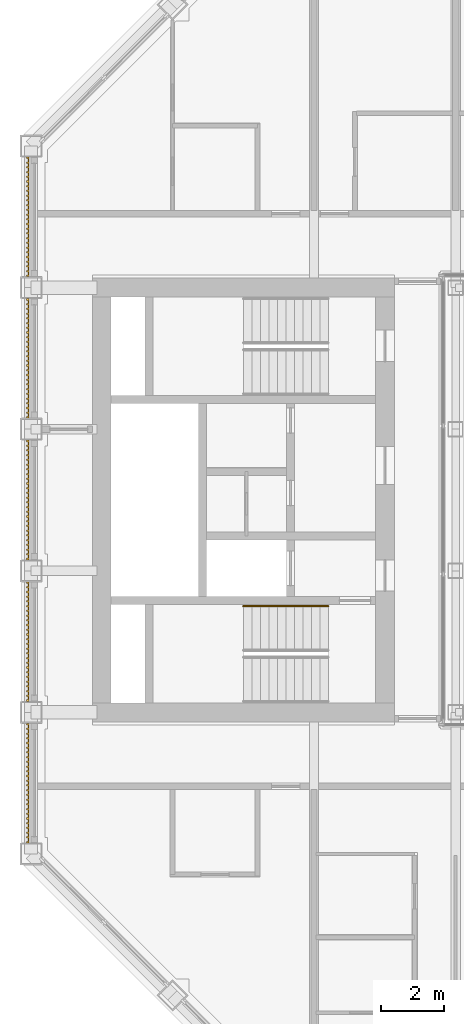
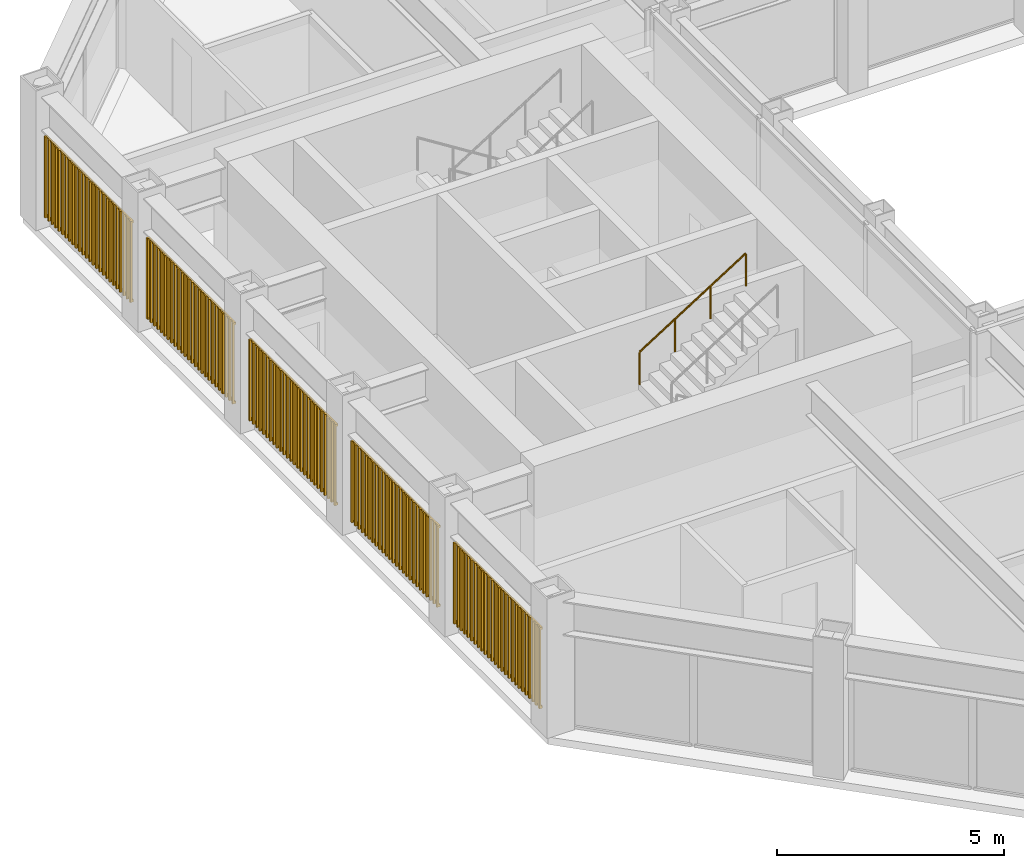
# One storey, part 15 of 18: 1 railing, 1 shading device.
"""IFC4 building model written with IfcOpenShell, lengths in metres."""

from ifc_helpers import new_model, si_unit, direction, frame, origin, origin_2d, place, context, subcontext, project, spatial, rectangle, circle, extrude, material, type_object, element, save


model = new_model("IFC4")

# Units and contexts
model_context = context("Model", 3, precision=1e-05, world=origin(), true_north=direction((0.0, 1.0)))
body_context = subcontext(model_context, "Body", "Model", "MODEL_VIEW")
ifc_project = project(units=[si_unit("LENGTHUNIT", "METRE"), si_unit("AREAUNIT", "SQUARE_METRE"), si_unit("VOLUMEUNIT", "CUBIC_METRE"), si_unit("PLANEANGLEUNIT", "RADIAN"), si_unit("MASSUNIT", "GRAM", prefix="KILO")], contexts=[model_context])

# Site, building, storey
site_placement = place(None, origin())
site = spatial("IfcSite", under=ifc_project, at=site_placement, CompositionType="ELEMENT")
building_placement = place(site_placement, origin())
building = spatial("IfcBuilding", under=site, at=building_placement, Name="Msasa Ring Tower", CompositionType="ELEMENT")
storey_placement = place(building_placement, frame((0.0, 0.0, 223.300048828125)))
storey = spatial("IfcBuildingStorey", under=building, at=storey_placement, Name="L58", CompositionType="ELEMENT", Elevation=223.300048828125)

# Shading device
ifc_material_1 = material(Name="Extruded terracotta on aluminium carriers", Category="masonry")
shading_device_type = type_object("IfcShadingDeviceType", Name="BS1 TERRACOTTA BAGUETTE SCREEN 50x50 AT 150", PredefinedType="USERDEFINED", material=ifc_material_1)
shading_device_placement = place(storey_placement, origin())
element("IfcShadingDevice", 1, at=shading_device_placement, inside=storey, type_object=shading_device_type, Name="Terracotta baguette screen W L58", ObjectType="BAGUETTE", PredefinedType="USERDEFINED", context=body_context, shape_type="SweptSolid", body=[
    extrude(rectangle(XDim=0.06005859375, YDim=0.0400390625, at=origin_2d()), frame((-20.330078125, -10.89990234375, 0.329833984375), z_axis=(0.0, 1.0, 0.0), x_axis=(0.0, 0.0, 1.0)), (0.0, 0.0, 1.0), 3.800048828125),
    extrude(rectangle(XDim=0.06005859375, YDim=0.0400390625, at=origin_2d()), frame((-20.330078125, -10.89990234375, 2.448974609375), z_axis=(0.0, 1.0, 0.0), x_axis=(0.0, 0.0, 1.0)), (0.0, 0.0, 1.0), 3.800048828125),
    extrude(rectangle(XDim=0.050048828125, YDim=0.050048828125, at=origin_2d()), frame((-20.3701171875, -10.875, 0.300048828125), z_axis=(0.0, 0.0, 1.0), x_axis=(0.0, 1.0, 0.0)), (0.0, 0.0, 1.0), 2.178955078125),
    extrude(rectangle(XDim=0.050048828125, YDim=0.050048828125, at=origin_2d()), frame((-20.3701171875, -10.72509765625, 0.300048828125), z_axis=(0.0, 0.0, 1.0), x_axis=(0.0, 1.0, 0.0)), (0.0, 0.0, 1.0), 2.178955078125),
    extrude(rectangle(XDim=0.050048828125, YDim=0.050048828125, at=origin_2d()), frame((-20.3701171875, -10.574951171875, 0.300048828125), z_axis=(0.0, 0.0, 1.0), x_axis=(0.0, 1.0, 0.0)), (0.0, 0.0, 1.0), 2.178955078125),
    extrude(rectangle(XDim=0.050048828125, YDim=0.050048828125, at=origin_2d()), frame((-20.3701171875, -10.425048828125, 0.300048828125), z_axis=(0.0, 0.0, 1.0), x_axis=(0.0, 1.0, 0.0)), (0.0, 0.0, 1.0), 2.178955078125),
    extrude(rectangle(XDim=0.050048828125, YDim=0.050048828125, at=origin_2d()), frame((-20.3701171875, -10.27490234375, 0.300048828125), z_axis=(0.0, 0.0, 1.0), x_axis=(0.0, 1.0, 0.0)), (0.0, 0.0, 1.0), 2.178955078125),
    extrude(rectangle(XDim=0.050048828125, YDim=0.050048828125, at=origin_2d()), frame((-20.3701171875, -10.125, 0.300048828125), z_axis=(0.0, 0.0, 1.0), x_axis=(0.0, 1.0, 0.0)), (0.0, 0.0, 1.0), 2.178955078125),
    extrude(rectangle(XDim=0.050048828125, YDim=0.050048828125, at=origin_2d()), frame((-20.3701171875, -9.97509765625, 0.300048828125), z_axis=(0.0, 0.0, 1.0), x_axis=(0.0, 1.0, 0.0)), (0.0, 0.0, 1.0), 2.178955078125),
    extrude(rectangle(XDim=0.050048828125, YDim=0.050048828125, at=origin_2d()), frame((-20.3701171875, -9.824951171875, 0.300048828125), z_axis=(0.0, 0.0, 1.0), x_axis=(0.0, 1.0, 0.0)), (0.0, 0.0, 1.0), 2.178955078125),
    extrude(rectangle(XDim=0.050048828125, YDim=0.050048828125, at=origin_2d()), frame((-20.3701171875, -9.675048828125, 0.300048828125), z_axis=(0.0, 0.0, 1.0), x_axis=(0.0, 1.0, 0.0)), (0.0, 0.0, 1.0), 2.178955078125),
    extrude(rectangle(XDim=0.050048828125, YDim=0.050048828125, at=origin_2d()), frame((-20.3701171875, -9.52490234375, 0.300048828125), z_axis=(0.0, 0.0, 1.0), x_axis=(0.0, 1.0, 0.0)), (0.0, 0.0, 1.0), 2.178955078125),
    extrude(rectangle(XDim=0.050048828125, YDim=0.050048828125, at=origin_2d()), frame((-20.3701171875, -9.375, 0.300048828125), z_axis=(0.0, 0.0, 1.0), x_axis=(0.0, 1.0, 0.0)), (0.0, 0.0, 1.0), 2.178955078125),
    extrude(rectangle(XDim=0.050048828125, YDim=0.050048828125, at=origin_2d()), frame((-20.3701171875, -9.22509765625, 0.300048828125), z_axis=(0.0, 0.0, 1.0), x_axis=(0.0, 1.0, 0.0)), (0.0, 0.0, 1.0), 2.178955078125),
    extrude(rectangle(XDim=0.050048828125, YDim=0.050048828125, at=origin_2d()), frame((-20.3701171875, -9.074951171875, 0.300048828125), z_axis=(0.0, 0.0, 1.0), x_axis=(0.0, 1.0, 0.0)), (0.0, 0.0, 1.0), 2.178955078125),
    extrude(rectangle(XDim=0.050048828125, YDim=0.050048828125, at=origin_2d()), frame((-20.3701171875, -8.925048828125, 0.300048828125), z_axis=(0.0, 0.0, 1.0), x_axis=(0.0, 1.0, 0.0)), (0.0, 0.0, 1.0), 2.178955078125),
    extrude(rectangle(XDim=0.050048828125, YDim=0.050048828125, at=origin_2d()), frame((-20.3701171875, -8.77490234375, 0.300048828125), z_axis=(0.0, 0.0, 1.0), x_axis=(0.0, 1.0, 0.0)), (0.0, 0.0, 1.0), 2.178955078125),
    extrude(rectangle(XDim=0.050048828125, YDim=0.050048828125, at=origin_2d()), frame((-20.3701171875, -8.625, 0.300048828125), z_axis=(0.0, 0.0, 1.0), x_axis=(0.0, 1.0, 0.0)), (0.0, 0.0, 1.0), 2.178955078125),
    extrude(rectangle(XDim=0.050048828125, YDim=0.050048828125, at=origin_2d()), frame((-20.3701171875, -8.47509765625, 0.300048828125), z_axis=(0.0, 0.0, 1.0), x_axis=(0.0, 1.0, 0.0)), (0.0, 0.0, 1.0), 2.178955078125),
    extrude(rectangle(XDim=0.050048828125, YDim=0.050048828125, at=origin_2d()), frame((-20.3701171875, -8.324951171875, 0.300048828125), z_axis=(0.0, 0.0, 1.0), x_axis=(0.0, 1.0, 0.0)), (0.0, 0.0, 1.0), 2.178955078125),
    extrude(rectangle(XDim=0.050048828125, YDim=0.050048828125, at=origin_2d()), frame((-20.3701171875, -8.175048828125, 0.300048828125), z_axis=(0.0, 0.0, 1.0), x_axis=(0.0, 1.0, 0.0)), (0.0, 0.0, 1.0), 2.178955078125),
    extrude(rectangle(XDim=0.050048828125, YDim=0.050048828125, at=origin_2d()), frame((-20.3701171875, -8.02490234375, 0.300048828125), z_axis=(0.0, 0.0, 1.0), x_axis=(0.0, 1.0, 0.0)), (0.0, 0.0, 1.0), 2.178955078125),
    extrude(rectangle(XDim=0.050048828125, YDim=0.050048828125, at=origin_2d()), frame((-20.3701171875, -7.875, 0.300048828125), z_axis=(0.0, 0.0, 1.0), x_axis=(0.0, 1.0, 0.0)), (0.0, 0.0, 1.0), 2.178955078125),
    extrude(rectangle(XDim=0.050048828125, YDim=0.050048828125, at=origin_2d()), frame((-20.3701171875, -7.72509765625, 0.300048828125), z_axis=(0.0, 0.0, 1.0), x_axis=(0.0, 1.0, 0.0)), (0.0, 0.0, 1.0), 2.178955078125),
    extrude(rectangle(XDim=0.050048828125, YDim=0.050048828125, at=origin_2d()), frame((-20.3701171875, -7.574951171875, 0.300048828125), z_axis=(0.0, 0.0, 1.0), x_axis=(0.0, 1.0, 0.0)), (0.0, 0.0, 1.0), 2.178955078125),
    extrude(rectangle(XDim=0.050048828125, YDim=0.050048828125, at=origin_2d()), frame((-20.3701171875, -7.425048828125, 0.300048828125), z_axis=(0.0, 0.0, 1.0), x_axis=(0.0, 1.0, 0.0)), (0.0, 0.0, 1.0), 2.178955078125),
    extrude(rectangle(XDim=0.050048828125, YDim=0.050048828125, at=origin_2d()), frame((-20.3701171875, -7.27490234375, 0.300048828125), z_axis=(0.0, 0.0, 1.0), x_axis=(0.0, 1.0, 0.0)), (0.0, 0.0, 1.0), 2.178955078125),
    extrude(rectangle(XDim=0.050048828125, YDim=0.050048828125, at=origin_2d()), frame((-20.3701171875, -7.125, 0.300048828125), z_axis=(0.0, 0.0, 1.0), x_axis=(0.0, 1.0, 0.0)), (0.0, 0.0, 1.0), 2.178955078125),
    extrude(rectangle(XDim=0.06005859375, YDim=0.0400390625, at=origin_2d()), frame((-20.330078125, -6.39990234375, 0.329833984375), z_axis=(0.0, 1.0, 0.0), x_axis=(0.0, 0.0, 1.0)), (0.0, 0.0, 1.0), 3.800048828125),
    extrude(rectangle(XDim=0.06005859375, YDim=0.0400390625, at=origin_2d()), frame((-20.330078125, -6.39990234375, 2.448974609375), z_axis=(0.0, 1.0, 0.0), x_axis=(0.0, 0.0, 1.0)), (0.0, 0.0, 1.0), 3.800048828125),
    extrude(rectangle(XDim=0.050048828125, YDim=0.050048828125, at=origin_2d()), frame((-20.3701171875, -6.375, 0.300048828125), z_axis=(0.0, 0.0, 1.0), x_axis=(0.0, 1.0, 0.0)), (0.0, 0.0, 1.0), 2.178955078125),
    extrude(rectangle(XDim=0.050048828125, YDim=0.050048828125, at=origin_2d()), frame((-20.3701171875, -6.22509765625, 0.300048828125), z_axis=(0.0, 0.0, 1.0), x_axis=(0.0, 1.0, 0.0)), (0.0, 0.0, 1.0), 2.178955078125),
    extrude(rectangle(XDim=0.050048828125, YDim=0.050048828125, at=origin_2d()), frame((-20.3701171875, -6.074951171875, 0.300048828125), z_axis=(0.0, 0.0, 1.0), x_axis=(0.0, 1.0, 0.0)), (0.0, 0.0, 1.0), 2.178955078125),
    extrude(rectangle(XDim=0.050048828125, YDim=0.050048828125, at=origin_2d()), frame((-20.3701171875, -5.925048828125, 0.300048828125), z_axis=(0.0, 0.0, 1.0), x_axis=(0.0, 1.0, 0.0)), (0.0, 0.0, 1.0), 2.178955078125),
    extrude(rectangle(XDim=0.050048828125, YDim=0.050048828125, at=origin_2d()), frame((-20.3701171875, -5.77490234375, 0.300048828125), z_axis=(0.0, 0.0, 1.0), x_axis=(0.0, 1.0, 0.0)), (0.0, 0.0, 1.0), 2.178955078125),
    extrude(rectangle(XDim=0.050048828125, YDim=0.050048828125, at=origin_2d()), frame((-20.3701171875, -5.625, 0.300048828125), z_axis=(0.0, 0.0, 1.0), x_axis=(0.0, 1.0, 0.0)), (0.0, 0.0, 1.0), 2.178955078125),
    extrude(rectangle(XDim=0.050048828125, YDim=0.050048828125, at=origin_2d()), frame((-20.3701171875, -5.47509765625, 0.300048828125), z_axis=(0.0, 0.0, 1.0), x_axis=(0.0, 1.0, 0.0)), (0.0, 0.0, 1.0), 2.178955078125),
    extrude(rectangle(XDim=0.050048828125, YDim=0.050048828125, at=origin_2d()), frame((-20.3701171875, -5.324951171875, 0.300048828125), z_axis=(0.0, 0.0, 1.0), x_axis=(0.0, 1.0, 0.0)), (0.0, 0.0, 1.0), 2.178955078125),
    extrude(rectangle(XDim=0.050048828125, YDim=0.050048828125, at=origin_2d()), frame((-20.3701171875, -5.175048828125, 0.300048828125), z_axis=(0.0, 0.0, 1.0), x_axis=(0.0, 1.0, 0.0)), (0.0, 0.0, 1.0), 2.178955078125),
    extrude(rectangle(XDim=0.050048828125, YDim=0.050048828125, at=origin_2d()), frame((-20.3701171875, -5.02490234375, 0.300048828125), z_axis=(0.0, 0.0, 1.0), x_axis=(0.0, 1.0, 0.0)), (0.0, 0.0, 1.0), 2.178955078125),
    extrude(rectangle(XDim=0.050048828125, YDim=0.050048828125, at=origin_2d()), frame((-20.3701171875, -4.875, 0.300048828125), z_axis=(0.0, 0.0, 1.0), x_axis=(0.0, 1.0, 0.0)), (0.0, 0.0, 1.0), 2.178955078125),
    extrude(rectangle(XDim=0.050048828125, YDim=0.050048828125, at=origin_2d()), frame((-20.3701171875, -4.72509765625, 0.300048828125), z_axis=(0.0, 0.0, 1.0), x_axis=(0.0, 1.0, 0.0)), (0.0, 0.0, 1.0), 2.178955078125),
    extrude(rectangle(XDim=0.050048828125, YDim=0.050048828125, at=origin_2d()), frame((-20.3701171875, -4.574951171875, 0.300048828125), z_axis=(0.0, 0.0, 1.0), x_axis=(0.0, 1.0, 0.0)), (0.0, 0.0, 1.0), 2.178955078125),
    extrude(rectangle(XDim=0.050048828125, YDim=0.050048828125, at=origin_2d()), frame((-20.3701171875, -4.425048828125, 0.300048828125), z_axis=(0.0, 0.0, 1.0), x_axis=(0.0, 1.0, 0.0)), (0.0, 0.0, 1.0), 2.178955078125),
    extrude(rectangle(XDim=0.050048828125, YDim=0.050048828125, at=origin_2d()), frame((-20.3701171875, -4.27490234375, 0.300048828125), z_axis=(0.0, 0.0, 1.0), x_axis=(0.0, 1.0, 0.0)), (0.0, 0.0, 1.0), 2.178955078125),
    extrude(rectangle(XDim=0.050048828125, YDim=0.050048828125, at=origin_2d()), frame((-20.3701171875, -4.125, 0.300048828125), z_axis=(0.0, 0.0, 1.0), x_axis=(0.0, 1.0, 0.0)), (0.0, 0.0, 1.0), 2.178955078125),
    extrude(rectangle(XDim=0.050048828125, YDim=0.050048828125, at=origin_2d()), frame((-20.3701171875, -3.97509765625, 0.300048828125), z_axis=(0.0, 0.0, 1.0), x_axis=(0.0, 1.0, 0.0)), (0.0, 0.0, 1.0), 2.178955078125),
    extrude(rectangle(XDim=0.050048828125, YDim=0.050048828125, at=origin_2d()), frame((-20.3701171875, -3.824951171875, 0.300048828125), z_axis=(0.0, 0.0, 1.0), x_axis=(0.0, 1.0, 0.0)), (0.0, 0.0, 1.0), 2.178955078125),
    extrude(rectangle(XDim=0.050048828125, YDim=0.050048828125, at=origin_2d()), frame((-20.3701171875, -3.675048828125, 0.300048828125), z_axis=(0.0, 0.0, 1.0), x_axis=(0.0, 1.0, 0.0)), (0.0, 0.0, 1.0), 2.178955078125),
    extrude(rectangle(XDim=0.050048828125, YDim=0.050048828125, at=origin_2d()), frame((-20.3701171875, -3.52490234375, 0.300048828125), z_axis=(0.0, 0.0, 1.0), x_axis=(0.0, 1.0, 0.0)), (0.0, 0.0, 1.0), 2.178955078125),
    extrude(rectangle(XDim=0.050048828125, YDim=0.050048828125, at=origin_2d()), frame((-20.3701171875, -3.375, 0.300048828125), z_axis=(0.0, 0.0, 1.0), x_axis=(0.0, 1.0, 0.0)), (0.0, 0.0, 1.0), 2.178955078125),
    extrude(rectangle(XDim=0.050048828125, YDim=0.050048828125, at=origin_2d()), frame((-20.3701171875, -3.22509765625, 0.300048828125), z_axis=(0.0, 0.0, 1.0), x_axis=(0.0, 1.0, 0.0)), (0.0, 0.0, 1.0), 2.178955078125),
    extrude(rectangle(XDim=0.050048828125, YDim=0.050048828125, at=origin_2d()), frame((-20.3701171875, -3.074951171875, 0.300048828125), z_axis=(0.0, 0.0, 1.0), x_axis=(0.0, 1.0, 0.0)), (0.0, 0.0, 1.0), 2.178955078125),
    extrude(rectangle(XDim=0.050048828125, YDim=0.050048828125, at=origin_2d()), frame((-20.3701171875, -2.925048828125, 0.300048828125), z_axis=(0.0, 0.0, 1.0), x_axis=(0.0, 1.0, 0.0)), (0.0, 0.0, 1.0), 2.178955078125),
    extrude(rectangle(XDim=0.050048828125, YDim=0.050048828125, at=origin_2d()), frame((-20.3701171875, -2.77490234375, 0.300048828125), z_axis=(0.0, 0.0, 1.0), x_axis=(0.0, 1.0, 0.0)), (0.0, 0.0, 1.0), 2.178955078125),
    extrude(rectangle(XDim=0.050048828125, YDim=0.050048828125, at=origin_2d()), frame((-20.3701171875, -2.625, 0.300048828125), z_axis=(0.0, 0.0, 1.0), x_axis=(0.0, 1.0, 0.0)), (0.0, 0.0, 1.0), 2.178955078125),
    extrude(rectangle(XDim=0.06005859375, YDim=0.0400390625, at=origin_2d()), frame((-20.330078125, -1.89990234375, 0.329833984375), z_axis=(0.0, 1.0, 0.0), x_axis=(0.0, 0.0, 1.0)), (0.0, 0.0, 1.0), 3.800048828125),
    extrude(rectangle(XDim=0.06005859375, YDim=0.0400390625, at=origin_2d()), frame((-20.330078125, -1.89990234375, 2.448974609375), z_axis=(0.0, 1.0, 0.0), x_axis=(0.0, 0.0, 1.0)), (0.0, 0.0, 1.0), 3.800048828125),
    extrude(rectangle(XDim=0.050048828125, YDim=0.050048828125, at=origin_2d()), frame((-20.3701171875, -1.875, 0.300048828125), z_axis=(0.0, 0.0, 1.0), x_axis=(0.0, 1.0, 0.0)), (0.0, 0.0, 1.0), 2.178955078125),
    extrude(rectangle(XDim=0.050048828125, YDim=0.050048828125, at=origin_2d()), frame((-20.3701171875, -1.72509765625, 0.300048828125), z_axis=(0.0, 0.0, 1.0), x_axis=(0.0, 1.0, 0.0)), (0.0, 0.0, 1.0), 2.178955078125),
    extrude(rectangle(XDim=0.050048828125, YDim=0.050048828125, at=origin_2d()), frame((-20.3701171875, -1.574951171875, 0.300048828125), z_axis=(0.0, 0.0, 1.0), x_axis=(0.0, 1.0, 0.0)), (0.0, 0.0, 1.0), 2.178955078125),
    extrude(rectangle(XDim=0.050048828125, YDim=0.050048828125, at=origin_2d()), frame((-20.3701171875, -1.425048828125, 0.300048828125), z_axis=(0.0, 0.0, 1.0), x_axis=(0.0, 1.0, 0.0)), (0.0, 0.0, 1.0), 2.178955078125),
    extrude(rectangle(XDim=0.050048828125, YDim=0.050048828125, at=origin_2d()), frame((-20.3701171875, -1.27490234375, 0.300048828125), z_axis=(0.0, 0.0, 1.0), x_axis=(0.0, 1.0, 0.0)), (0.0, 0.0, 1.0), 2.178955078125),
    extrude(rectangle(XDim=0.050048828125, YDim=0.050048828125, at=origin_2d()), frame((-20.3701171875, -1.125, 0.300048828125), z_axis=(0.0, 0.0, 1.0), x_axis=(0.0, 1.0, 0.0)), (0.0, 0.0, 1.0), 2.178955078125),
    extrude(rectangle(XDim=0.050048828125, YDim=0.050048828125, at=origin_2d()), frame((-20.3701171875, -0.97509765625, 0.300048828125), z_axis=(0.0, 0.0, 1.0), x_axis=(0.0, 1.0, 0.0)), (0.0, 0.0, 1.0), 2.178955078125),
    extrude(rectangle(XDim=0.050048828125, YDim=0.050048828125, at=origin_2d()), frame((-20.3701171875, -0.824951171875, 0.300048828125), z_axis=(0.0, 0.0, 1.0), x_axis=(0.0, 1.0, 0.0)), (0.0, 0.0, 1.0), 2.178955078125),
    extrude(rectangle(XDim=0.050048828125, YDim=0.050048828125, at=origin_2d()), frame((-20.3701171875, -0.675048828125, 0.300048828125), z_axis=(0.0, 0.0, 1.0), x_axis=(0.0, 1.0, 0.0)), (0.0, 0.0, 1.0), 2.178955078125),
    extrude(rectangle(XDim=0.050048828125, YDim=0.050048828125, at=origin_2d()), frame((-20.3701171875, -0.52490234375, 0.300048828125), z_axis=(0.0, 0.0, 1.0), x_axis=(0.0, 1.0, 0.0)), (0.0, 0.0, 1.0), 2.178955078125),
    extrude(rectangle(XDim=0.050048828125, YDim=0.050048828125, at=origin_2d()), frame((-20.3701171875, -0.375, 0.300048828125), z_axis=(0.0, 0.0, 1.0), x_axis=(0.0, 1.0, 0.0)), (0.0, 0.0, 1.0), 2.178955078125),
    extrude(rectangle(XDim=0.050048828125, YDim=0.050048828125, at=origin_2d()), frame((-20.3701171875, -0.22509765625, 0.300048828125), z_axis=(0.0, 0.0, 1.0), x_axis=(0.0, 1.0, 0.0)), (0.0, 0.0, 1.0), 2.178955078125),
    extrude(rectangle(XDim=0.050048828125, YDim=0.050048828125, at=origin_2d()), frame((-20.3701171875, -0.074951171875, 0.300048828125), z_axis=(0.0, 0.0, 1.0), x_axis=(0.0, 1.0, 0.0)), (0.0, 0.0, 1.0), 2.178955078125),
    extrude(rectangle(XDim=0.050048828125, YDim=0.050048828125, at=origin_2d()), frame((-20.3701171875, 0.074951171875, 0.300048828125), z_axis=(0.0, 0.0, 1.0), x_axis=(0.0, 1.0, 0.0)), (0.0, 0.0, 1.0), 2.178955078125),
    extrude(rectangle(XDim=0.050048828125, YDim=0.050048828125, at=origin_2d()), frame((-20.3701171875, 0.22509765625, 0.300048828125), z_axis=(0.0, 0.0, 1.0), x_axis=(0.0, 1.0, 0.0)), (0.0, 0.0, 1.0), 2.178955078125),
    extrude(rectangle(XDim=0.050048828125, YDim=0.050048828125, at=origin_2d()), frame((-20.3701171875, 0.375, 0.300048828125), z_axis=(0.0, 0.0, 1.0), x_axis=(0.0, 1.0, 0.0)), (0.0, 0.0, 1.0), 2.178955078125),
    extrude(rectangle(XDim=0.050048828125, YDim=0.050048828125, at=origin_2d()), frame((-20.3701171875, 0.52490234375, 0.300048828125), z_axis=(0.0, 0.0, 1.0), x_axis=(0.0, 1.0, 0.0)), (0.0, 0.0, 1.0), 2.178955078125),
    extrude(rectangle(XDim=0.050048828125, YDim=0.050048828125, at=origin_2d()), frame((-20.3701171875, 0.675048828125, 0.300048828125), z_axis=(0.0, 0.0, 1.0), x_axis=(0.0, 1.0, 0.0)), (0.0, 0.0, 1.0), 2.178955078125),
    extrude(rectangle(XDim=0.050048828125, YDim=0.050048828125, at=origin_2d()), frame((-20.3701171875, 0.824951171875, 0.300048828125), z_axis=(0.0, 0.0, 1.0), x_axis=(0.0, 1.0, 0.0)), (0.0, 0.0, 1.0), 2.178955078125),
    extrude(rectangle(XDim=0.050048828125, YDim=0.050048828125, at=origin_2d()), frame((-20.3701171875, 0.97509765625, 0.300048828125), z_axis=(0.0, 0.0, 1.0), x_axis=(0.0, 1.0, 0.0)), (0.0, 0.0, 1.0), 2.178955078125),
    extrude(rectangle(XDim=0.050048828125, YDim=0.050048828125, at=origin_2d()), frame((-20.3701171875, 1.125, 0.300048828125), z_axis=(0.0, 0.0, 1.0), x_axis=(0.0, 1.0, 0.0)), (0.0, 0.0, 1.0), 2.178955078125),
    extrude(rectangle(XDim=0.050048828125, YDim=0.050048828125, at=origin_2d()), frame((-20.3701171875, 1.27490234375, 0.300048828125), z_axis=(0.0, 0.0, 1.0), x_axis=(0.0, 1.0, 0.0)), (0.0, 0.0, 1.0), 2.178955078125),
    extrude(rectangle(XDim=0.050048828125, YDim=0.050048828125, at=origin_2d()), frame((-20.3701171875, 1.425048828125, 0.300048828125), z_axis=(0.0, 0.0, 1.0), x_axis=(0.0, 1.0, 0.0)), (0.0, 0.0, 1.0), 2.178955078125),
    extrude(rectangle(XDim=0.050048828125, YDim=0.050048828125, at=origin_2d()), frame((-20.3701171875, 1.574951171875, 0.300048828125), z_axis=(0.0, 0.0, 1.0), x_axis=(0.0, 1.0, 0.0)), (0.0, 0.0, 1.0), 2.178955078125),
    extrude(rectangle(XDim=0.050048828125, YDim=0.050048828125, at=origin_2d()), frame((-20.3701171875, 1.72509765625, 0.300048828125), z_axis=(0.0, 0.0, 1.0), x_axis=(0.0, 1.0, 0.0)), (0.0, 0.0, 1.0), 2.178955078125),
    extrude(rectangle(XDim=0.050048828125, YDim=0.050048828125, at=origin_2d()), frame((-20.3701171875, 1.875, 0.300048828125), z_axis=(0.0, 0.0, 1.0), x_axis=(0.0, 1.0, 0.0)), (0.0, 0.0, 1.0), 2.178955078125),
    extrude(rectangle(XDim=0.06005859375, YDim=0.0400390625, at=origin_2d()), frame((-20.330078125, 2.60009765625, 0.329833984375), z_axis=(0.0, 1.0, 0.0), x_axis=(0.0, 0.0, 1.0)), (0.0, 0.0, 1.0), 3.800048828125),
    extrude(rectangle(XDim=0.06005859375, YDim=0.0400390625, at=origin_2d()), frame((-20.330078125, 2.60009765625, 2.448974609375), z_axis=(0.0, 1.0, 0.0), x_axis=(0.0, 0.0, 1.0)), (0.0, 0.0, 1.0), 3.800048828125),
    extrude(rectangle(XDim=0.050048828125, YDim=0.050048828125, at=origin_2d()), frame((-20.3701171875, 2.625, 0.300048828125), z_axis=(0.0, 0.0, 1.0), x_axis=(0.0, 1.0, 0.0)), (0.0, 0.0, 1.0), 2.178955078125),
    extrude(rectangle(XDim=0.050048828125, YDim=0.050048828125, at=origin_2d()), frame((-20.3701171875, 2.77490234375, 0.300048828125), z_axis=(0.0, 0.0, 1.0), x_axis=(0.0, 1.0, 0.0)), (0.0, 0.0, 1.0), 2.178955078125),
    extrude(rectangle(XDim=0.050048828125, YDim=0.050048828125, at=origin_2d()), frame((-20.3701171875, 2.925048828125, 0.300048828125), z_axis=(0.0, 0.0, 1.0), x_axis=(0.0, 1.0, 0.0)), (0.0, 0.0, 1.0), 2.178955078125),
    extrude(rectangle(XDim=0.050048828125, YDim=0.050048828125, at=origin_2d()), frame((-20.3701171875, 3.074951171875, 0.300048828125), z_axis=(0.0, 0.0, 1.0), x_axis=(0.0, 1.0, 0.0)), (0.0, 0.0, 1.0), 2.178955078125),
    extrude(rectangle(XDim=0.050048828125, YDim=0.050048828125, at=origin_2d()), frame((-20.3701171875, 3.22509765625, 0.300048828125), z_axis=(0.0, 0.0, 1.0), x_axis=(0.0, 1.0, 0.0)), (0.0, 0.0, 1.0), 2.178955078125),
    extrude(rectangle(XDim=0.050048828125, YDim=0.050048828125, at=origin_2d()), frame((-20.3701171875, 3.375, 0.300048828125), z_axis=(0.0, 0.0, 1.0), x_axis=(0.0, 1.0, 0.0)), (0.0, 0.0, 1.0), 2.178955078125),
    extrude(rectangle(XDim=0.050048828125, YDim=0.050048828125, at=origin_2d()), frame((-20.3701171875, 3.52490234375, 0.300048828125), z_axis=(0.0, 0.0, 1.0), x_axis=(0.0, 1.0, 0.0)), (0.0, 0.0, 1.0), 2.178955078125),
    extrude(rectangle(XDim=0.050048828125, YDim=0.050048828125, at=origin_2d()), frame((-20.3701171875, 3.675048828125, 0.300048828125), z_axis=(0.0, 0.0, 1.0), x_axis=(0.0, 1.0, 0.0)), (0.0, 0.0, 1.0), 2.178955078125),
    extrude(rectangle(XDim=0.050048828125, YDim=0.050048828125, at=origin_2d()), frame((-20.3701171875, 3.824951171875, 0.300048828125), z_axis=(0.0, 0.0, 1.0), x_axis=(0.0, 1.0, 0.0)), (0.0, 0.0, 1.0), 2.178955078125),
    extrude(rectangle(XDim=0.050048828125, YDim=0.050048828125, at=origin_2d()), frame((-20.3701171875, 3.97509765625, 0.300048828125), z_axis=(0.0, 0.0, 1.0), x_axis=(0.0, 1.0, 0.0)), (0.0, 0.0, 1.0), 2.178955078125),
    extrude(rectangle(XDim=0.050048828125, YDim=0.050048828125, at=origin_2d()), frame((-20.3701171875, 4.125, 0.300048828125), z_axis=(0.0, 0.0, 1.0), x_axis=(0.0, 1.0, 0.0)), (0.0, 0.0, 1.0), 2.178955078125),
    extrude(rectangle(XDim=0.050048828125, YDim=0.050048828125, at=origin_2d()), frame((-20.3701171875, 4.27490234375, 0.300048828125), z_axis=(0.0, 0.0, 1.0), x_axis=(0.0, 1.0, 0.0)), (0.0, 0.0, 1.0), 2.178955078125),
    extrude(rectangle(XDim=0.050048828125, YDim=0.050048828125, at=origin_2d()), frame((-20.3701171875, 4.425048828125, 0.300048828125), z_axis=(0.0, 0.0, 1.0), x_axis=(0.0, 1.0, 0.0)), (0.0, 0.0, 1.0), 2.178955078125),
    extrude(rectangle(XDim=0.050048828125, YDim=0.050048828125, at=origin_2d()), frame((-20.3701171875, 4.574951171875, 0.300048828125), z_axis=(0.0, 0.0, 1.0), x_axis=(0.0, 1.0, 0.0)), (0.0, 0.0, 1.0), 2.178955078125),
    extrude(rectangle(XDim=0.050048828125, YDim=0.050048828125, at=origin_2d()), frame((-20.3701171875, 4.72509765625, 0.300048828125), z_axis=(0.0, 0.0, 1.0), x_axis=(0.0, 1.0, 0.0)), (0.0, 0.0, 1.0), 2.178955078125),
    extrude(rectangle(XDim=0.050048828125, YDim=0.050048828125, at=origin_2d()), frame((-20.3701171875, 4.875, 0.300048828125), z_axis=(0.0, 0.0, 1.0), x_axis=(0.0, 1.0, 0.0)), (0.0, 0.0, 1.0), 2.178955078125),
    extrude(rectangle(XDim=0.050048828125, YDim=0.050048828125, at=origin_2d()), frame((-20.3701171875, 5.02490234375, 0.300048828125), z_axis=(0.0, 0.0, 1.0), x_axis=(0.0, 1.0, 0.0)), (0.0, 0.0, 1.0), 2.178955078125),
    extrude(rectangle(XDim=0.050048828125, YDim=0.050048828125, at=origin_2d()), frame((-20.3701171875, 5.175048828125, 0.300048828125), z_axis=(0.0, 0.0, 1.0), x_axis=(0.0, 1.0, 0.0)), (0.0, 0.0, 1.0), 2.178955078125),
    extrude(rectangle(XDim=0.050048828125, YDim=0.050048828125, at=origin_2d()), frame((-20.3701171875, 5.324951171875, 0.300048828125), z_axis=(0.0, 0.0, 1.0), x_axis=(0.0, 1.0, 0.0)), (0.0, 0.0, 1.0), 2.178955078125),
    extrude(rectangle(XDim=0.050048828125, YDim=0.050048828125, at=origin_2d()), frame((-20.3701171875, 5.47509765625, 0.300048828125), z_axis=(0.0, 0.0, 1.0), x_axis=(0.0, 1.0, 0.0)), (0.0, 0.0, 1.0), 2.178955078125),
    extrude(rectangle(XDim=0.050048828125, YDim=0.050048828125, at=origin_2d()), frame((-20.3701171875, 5.625, 0.300048828125), z_axis=(0.0, 0.0, 1.0), x_axis=(0.0, 1.0, 0.0)), (0.0, 0.0, 1.0), 2.178955078125),
    extrude(rectangle(XDim=0.050048828125, YDim=0.050048828125, at=origin_2d()), frame((-20.3701171875, 5.77490234375, 0.300048828125), z_axis=(0.0, 0.0, 1.0), x_axis=(0.0, 1.0, 0.0)), (0.0, 0.0, 1.0), 2.178955078125),
    extrude(rectangle(XDim=0.050048828125, YDim=0.050048828125, at=origin_2d()), frame((-20.3701171875, 5.925048828125, 0.300048828125), z_axis=(0.0, 0.0, 1.0), x_axis=(0.0, 1.0, 0.0)), (0.0, 0.0, 1.0), 2.178955078125),
    extrude(rectangle(XDim=0.050048828125, YDim=0.050048828125, at=origin_2d()), frame((-20.3701171875, 6.074951171875, 0.300048828125), z_axis=(0.0, 0.0, 1.0), x_axis=(0.0, 1.0, 0.0)), (0.0, 0.0, 1.0), 2.178955078125),
    extrude(rectangle(XDim=0.050048828125, YDim=0.050048828125, at=origin_2d()), frame((-20.3701171875, 6.22509765625, 0.300048828125), z_axis=(0.0, 0.0, 1.0), x_axis=(0.0, 1.0, 0.0)), (0.0, 0.0, 1.0), 2.178955078125),
    extrude(rectangle(XDim=0.050048828125, YDim=0.050048828125, at=origin_2d()), frame((-20.3701171875, 6.375, 0.300048828125), z_axis=(0.0, 0.0, 1.0), x_axis=(0.0, 1.0, 0.0)), (0.0, 0.0, 1.0), 2.178955078125),
    extrude(rectangle(XDim=0.06005859375, YDim=0.0400390625, at=origin_2d()), frame((-20.330078125, 7.10009765625, 0.329833984375), z_axis=(0.0, 1.0, 0.0), x_axis=(0.0, 0.0, 1.0)), (0.0, 0.0, 1.0), 3.800048828125),
    extrude(rectangle(XDim=0.06005859375, YDim=0.0400390625, at=origin_2d()), frame((-20.330078125, 7.10009765625, 2.448974609375), z_axis=(0.0, 1.0, 0.0), x_axis=(0.0, 0.0, 1.0)), (0.0, 0.0, 1.0), 3.800048828125),
    extrude(rectangle(XDim=0.050048828125, YDim=0.050048828125, at=origin_2d()), frame((-20.3701171875, 7.125, 0.300048828125), z_axis=(0.0, 0.0, 1.0), x_axis=(0.0, 1.0, 0.0)), (0.0, 0.0, 1.0), 2.178955078125),
    extrude(rectangle(XDim=0.050048828125, YDim=0.050048828125, at=origin_2d()), frame((-20.3701171875, 7.27490234375, 0.300048828125), z_axis=(0.0, 0.0, 1.0), x_axis=(0.0, 1.0, 0.0)), (0.0, 0.0, 1.0), 2.178955078125),
    extrude(rectangle(XDim=0.050048828125, YDim=0.050048828125, at=origin_2d()), frame((-20.3701171875, 7.425048828125, 0.300048828125), z_axis=(0.0, 0.0, 1.0), x_axis=(0.0, 1.0, 0.0)), (0.0, 0.0, 1.0), 2.178955078125),
    extrude(rectangle(XDim=0.050048828125, YDim=0.050048828125, at=origin_2d()), frame((-20.3701171875, 7.574951171875, 0.300048828125), z_axis=(0.0, 0.0, 1.0), x_axis=(0.0, 1.0, 0.0)), (0.0, 0.0, 1.0), 2.178955078125),
    extrude(rectangle(XDim=0.050048828125, YDim=0.050048828125, at=origin_2d()), frame((-20.3701171875, 7.72509765625, 0.300048828125), z_axis=(0.0, 0.0, 1.0), x_axis=(0.0, 1.0, 0.0)), (0.0, 0.0, 1.0), 2.178955078125),
    extrude(rectangle(XDim=0.050048828125, YDim=0.050048828125, at=origin_2d()), frame((-20.3701171875, 7.875, 0.300048828125), z_axis=(0.0, 0.0, 1.0), x_axis=(0.0, 1.0, 0.0)), (0.0, 0.0, 1.0), 2.178955078125),
    extrude(rectangle(XDim=0.050048828125, YDim=0.050048828125, at=origin_2d()), frame((-20.3701171875, 8.02490234375, 0.300048828125), z_axis=(0.0, 0.0, 1.0), x_axis=(0.0, 1.0, 0.0)), (0.0, 0.0, 1.0), 2.178955078125),
    extrude(rectangle(XDim=0.050048828125, YDim=0.050048828125, at=origin_2d()), frame((-20.3701171875, 8.175048828125, 0.300048828125), z_axis=(0.0, 0.0, 1.0), x_axis=(0.0, 1.0, 0.0)), (0.0, 0.0, 1.0), 2.178955078125),
    extrude(rectangle(XDim=0.050048828125, YDim=0.050048828125, at=origin_2d()), frame((-20.3701171875, 8.324951171875, 0.300048828125), z_axis=(0.0, 0.0, 1.0), x_axis=(0.0, 1.0, 0.0)), (0.0, 0.0, 1.0), 2.178955078125),
    extrude(rectangle(XDim=0.050048828125, YDim=0.050048828125, at=origin_2d()), frame((-20.3701171875, 8.47509765625, 0.300048828125), z_axis=(0.0, 0.0, 1.0), x_axis=(0.0, 1.0, 0.0)), (0.0, 0.0, 1.0), 2.178955078125),
    extrude(rectangle(XDim=0.050048828125, YDim=0.050048828125, at=origin_2d()), frame((-20.3701171875, 8.625, 0.300048828125), z_axis=(0.0, 0.0, 1.0), x_axis=(0.0, 1.0, 0.0)), (0.0, 0.0, 1.0), 2.178955078125),
    extrude(rectangle(XDim=0.050048828125, YDim=0.050048828125, at=origin_2d()), frame((-20.3701171875, 8.77490234375, 0.300048828125), z_axis=(0.0, 0.0, 1.0), x_axis=(0.0, 1.0, 0.0)), (0.0, 0.0, 1.0), 2.178955078125),
    extrude(rectangle(XDim=0.050048828125, YDim=0.050048828125, at=origin_2d()), frame((-20.3701171875, 8.925048828125, 0.300048828125), z_axis=(0.0, 0.0, 1.0), x_axis=(0.0, 1.0, 0.0)), (0.0, 0.0, 1.0), 2.178955078125),
    extrude(rectangle(XDim=0.050048828125, YDim=0.050048828125, at=origin_2d()), frame((-20.3701171875, 9.074951171875, 0.300048828125), z_axis=(0.0, 0.0, 1.0), x_axis=(0.0, 1.0, 0.0)), (0.0, 0.0, 1.0), 2.178955078125),
    extrude(rectangle(XDim=0.050048828125, YDim=0.050048828125, at=origin_2d()), frame((-20.3701171875, 9.22509765625, 0.300048828125), z_axis=(0.0, 0.0, 1.0), x_axis=(0.0, 1.0, 0.0)), (0.0, 0.0, 1.0), 2.178955078125),
    extrude(rectangle(XDim=0.050048828125, YDim=0.050048828125, at=origin_2d()), frame((-20.3701171875, 9.375, 0.300048828125), z_axis=(0.0, 0.0, 1.0), x_axis=(0.0, 1.0, 0.0)), (0.0, 0.0, 1.0), 2.178955078125),
    extrude(rectangle(XDim=0.050048828125, YDim=0.050048828125, at=origin_2d()), frame((-20.3701171875, 9.52490234375, 0.300048828125), z_axis=(0.0, 0.0, 1.0), x_axis=(0.0, 1.0, 0.0)), (0.0, 0.0, 1.0), 2.178955078125),
    extrude(rectangle(XDim=0.050048828125, YDim=0.050048828125, at=origin_2d()), frame((-20.3701171875, 9.675048828125, 0.300048828125), z_axis=(0.0, 0.0, 1.0), x_axis=(0.0, 1.0, 0.0)), (0.0, 0.0, 1.0), 2.178955078125),
    extrude(rectangle(XDim=0.050048828125, YDim=0.050048828125, at=origin_2d()), frame((-20.3701171875, 9.824951171875, 0.300048828125), z_axis=(0.0, 0.0, 1.0), x_axis=(0.0, 1.0, 0.0)), (0.0, 0.0, 1.0), 2.178955078125),
    extrude(rectangle(XDim=0.050048828125, YDim=0.050048828125, at=origin_2d()), frame((-20.3701171875, 9.97509765625, 0.300048828125), z_axis=(0.0, 0.0, 1.0), x_axis=(0.0, 1.0, 0.0)), (0.0, 0.0, 1.0), 2.178955078125),
    extrude(rectangle(XDim=0.050048828125, YDim=0.050048828125, at=origin_2d()), frame((-20.3701171875, 10.125, 0.300048828125), z_axis=(0.0, 0.0, 1.0), x_axis=(0.0, 1.0, 0.0)), (0.0, 0.0, 1.0), 2.178955078125),
    extrude(rectangle(XDim=0.050048828125, YDim=0.050048828125, at=origin_2d()), frame((-20.3701171875, 10.27490234375, 0.300048828125), z_axis=(0.0, 0.0, 1.0), x_axis=(0.0, 1.0, 0.0)), (0.0, 0.0, 1.0), 2.178955078125),
    extrude(rectangle(XDim=0.050048828125, YDim=0.050048828125, at=origin_2d()), frame((-20.3701171875, 10.425048828125, 0.300048828125), z_axis=(0.0, 0.0, 1.0), x_axis=(0.0, 1.0, 0.0)), (0.0, 0.0, 1.0), 2.178955078125),
    extrude(rectangle(XDim=0.050048828125, YDim=0.050048828125, at=origin_2d()), frame((-20.3701171875, 10.574951171875, 0.300048828125), z_axis=(0.0, 0.0, 1.0), x_axis=(0.0, 1.0, 0.0)), (0.0, 0.0, 1.0), 2.178955078125),
    extrude(rectangle(XDim=0.050048828125, YDim=0.050048828125, at=origin_2d()), frame((-20.3701171875, 10.72509765625, 0.300048828125), z_axis=(0.0, 0.0, 1.0), x_axis=(0.0, 1.0, 0.0)), (0.0, 0.0, 1.0), 2.178955078125),
    extrude(rectangle(XDim=0.050048828125, YDim=0.050048828125, at=origin_2d()), frame((-20.3701171875, 10.875, 0.300048828125), z_axis=(0.0, 0.0, 1.0), x_axis=(0.0, 1.0, 0.0)), (0.0, 0.0, 1.0), 2.178955078125),
])

# Railing
ifc_material_2 = material(Name="Stainless steel", Category="steel")
railing_type = type_object("IfcRailingType", Name="HR1 HANDRAIL 900", PredefinedType="HANDRAIL", material=ifc_material_2)
railing_placement = place(storey_placement, frame((-13.5, -3.375, 2.04541015625)))
element("IfcRailing", 2, at=railing_placement, inside=storey, type_object=railing_type, Name="Handrail stair SWA L58 4", PredefinedType="HANDRAIL", context=body_context, shape_type="SweptSolid", body=[
    extrude(circle(Radius=0.02392578125, at=origin_2d()), frame((0.0, 0.0, 0.8759765625), z_axis=(0.845579735284, 0.0, 0.533849146555), x_axis=(0.0, 1.0, 0.0)), (0.0, 0.0, 1.0), 3.193115234375),
    extrude(circle(Radius=0.02099609375, at=origin_2d()), origin(), (0.0, 0.0, 1.0), 0.851806640625),
    extrude(circle(Radius=0.02099609375, at=origin_2d()), frame((0.89990234375, 0.0, 0.568115234375)), (0.0, 0.0, 1.0), 0.851806640625),
    extrude(circle(Radius=0.02099609375, at=origin_2d()), frame((1.800048828125, 0.0, 1.136474609375)), (0.0, 0.0, 1.0), 0.851806640625),
    extrude(circle(Radius=0.02099609375, at=origin_2d()), frame((2.699951171875, 0.0, 1.70458984375)), (0.0, 0.0, 1.0), 0.851806640625),
])

save(model, "model.ifc")
